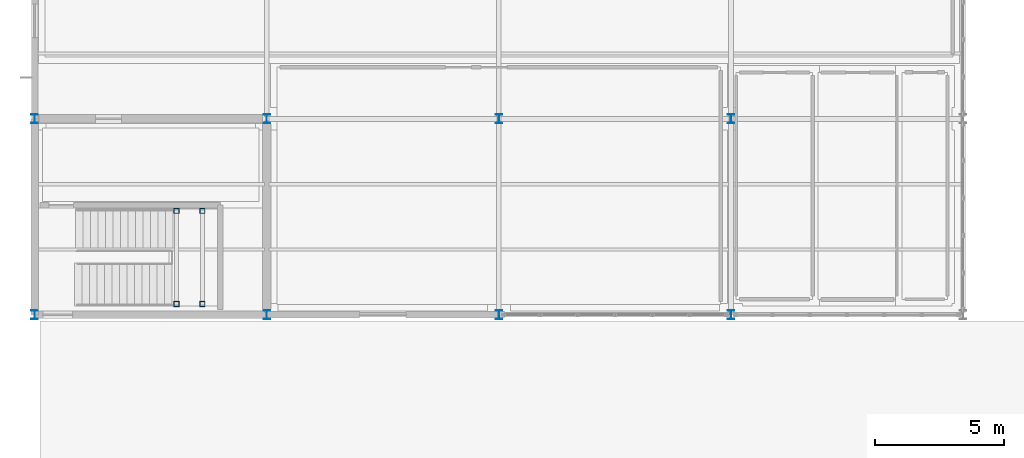
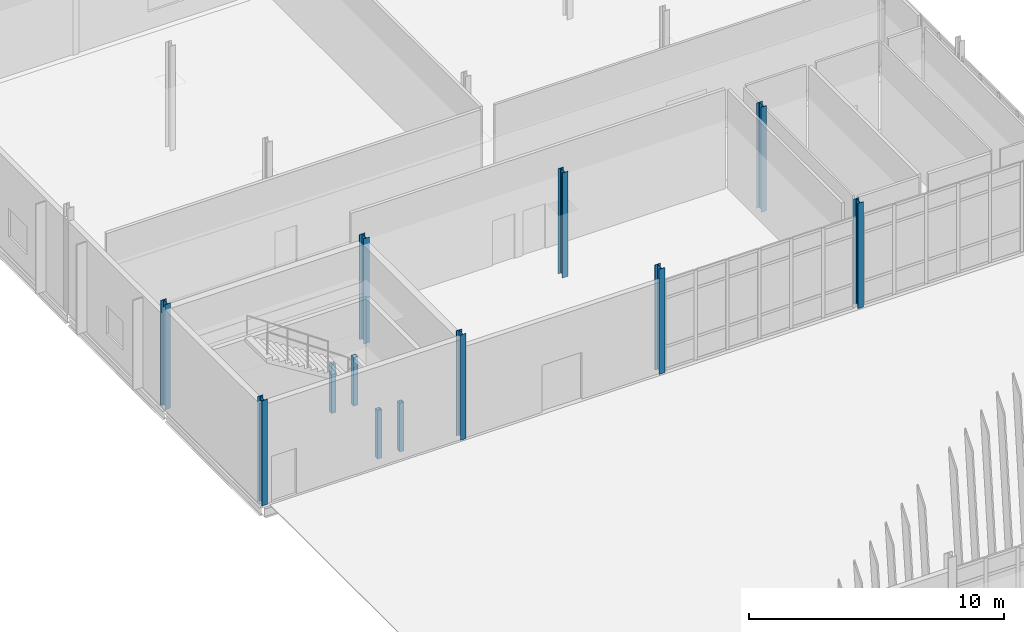
# One storey, part 15 of 161: 12 columns.
"""IFC4 building model written with IfcOpenShell, lengths in metres."""

from ifc_helpers import new_model, si_unit, direction, frame, origin, origin_2d, place, context, subcontext, project, spatial, hollow_rectangle, i_section, extrude, material, material_profile, profile_set, type_object, element, save


model = new_model("IFC4")

# Units and contexts
model_context = context("Model", 3, precision=1e-05, world=origin(), true_north=direction((0.0, 1.0)))
body_context = subcontext(model_context, "Body", "Model", "MODEL_VIEW")
ifc_project = project(units=[si_unit("LENGTHUNIT", "METRE"), si_unit("AREAUNIT", "SQUARE_METRE"), si_unit("VOLUMEUNIT", "CUBIC_METRE"), si_unit("PLANEANGLEUNIT", "RADIAN"), si_unit("MASSUNIT", "GRAM", prefix="KILO")], contexts=[model_context])

# Site, building, storey
site_placement = place(None, origin())
site = spatial("IfcSite", under=ifc_project, at=site_placement, CompositionType="ELEMENT")
building_placement = place(site_placement, origin())
building = spatial("IfcBuilding", under=site, at=building_placement, Name="Caisbarro Railhouse Central Library", CompositionType="ELEMENT")
storey_placement = place(building_placement, origin())
storey = spatial("IfcBuildingStorey", under=building, at=storey_placement, Name="L00", CompositionType="ELEMENT", Elevation=0.0)

# Columns
ifc_material = material(Name="Steel ASTM A572 Grade 50", Category="steel")
ifc_material_profile_1 = material_profile(ifc_material, i_section(OverallWidth=0.25390625, OverallDepth=0.35302734375, WebThickness=0.009521484375, FlangeThickness=0.016357421875, FilletRadius=0.014892578125, at=origin_2d()), Name="W360X91.0")
ifc_profile_set_1 = profile_set([ifc_material_profile_1], Name="Steel ASTM A572 Grade 50")
column_type_1 = type_object("IfcColumnType", Name="COL-C05", PredefinedType="COLUMN", material=ifc_profile_set_1)
for number, where, z_axis, x_axis, name in (
    (1, (0.0, 83.60009765625, 0.0), (0.0, 0.0, 1.0), (1.0, 0.0, 0.0), "C05 column L00 (0.0,83.6)"),
    (2, (0.0, 91.199951171875, 0.0), (0.0, 0.0, 1.0), (1.0, 0.0, 0.0), "C05 column L00 (0.0,91.2)"),
    (3, (9.0, 83.60009765625, 0.0), (0.0, 0.0, 1.0), (1.0, 0.0, 0.0), "C05 column L00 (9.0,83.6)"),
    (4, (9.0, 91.199951171875, 0.0), (0.0, 0.0, 1.0), (1.0, 0.0, 0.0), "C05 column L00 (9.0,91.2)"),
    (5, (18.0, 83.60009765625, 0.0), (0.0, 0.0, 1.0), (1.0, 0.0, 0.0), "C05 column L00 (18.0,83.6)"),
    (6, (18.0, 91.199951171875, 0.0), (0.0, 0.0, 1.0), (1.0, 0.0, 0.0), "C05 column L00 (18.0,91.2)"),
    (7, (27.0, 83.60009765625, 0.0), (0.0, 0.0, 1.0), (1.0, 0.0, 0.0), "C05 column L00 (27.0,83.6)"),
    (8, (27.0, 91.199951171875, 0.0), (0.0, 0.0, 1.0), (1.0, 0.0, 0.0), "C05 column L00 (27.0,91.2)"),
):
    element("IfcColumn", number, at=place(storey_placement, frame(where, z_axis=z_axis, x_axis=x_axis)), inside=storey, type_object=column_type_1, Name=name, PredefinedType="COLUMN", context=body_context, shape_type="SweptSolid", body=[
        extrude(i_section(OverallWidth=0.25390625, OverallDepth=0.35302734375, WebThickness=0.009521484375, FlangeThickness=0.016357421875, FilletRadius=0.014892578125, at=origin_2d()), origin(), (0.0, 0.0, 1.0), 5.0400390625),
    ])
ifc_material_profile_2 = material_profile(ifc_material, hollow_rectangle(XDim=0.199951171875, YDim=0.199951171875, WallThickness=0.012451171875, at=origin_2d()), Name="HSS200X200X12.5")
ifc_profile_set_2 = profile_set([ifc_material_profile_2], Name="Steel ASTM A572 Grade 50")
column_type_2 = type_object("IfcColumnType", Name="COL-C10", PredefinedType="COLUMN", material=ifc_profile_set_2)
for number, where, z_axis, x_axis, name in (
    (9, (5.5, 84.02001953125, 0.0), (0.0, 0.0, 1.0), (1.0, 0.0, 0.0), "C10 Stair Landing Post K8 L00.1"),
    (10, (5.5, 87.6298828125, 0.0), (0.0, 0.0, 1.0), (1.0, 0.0, 0.0), "C10 Stair Landing Post K8 L00.2"),
    (11, (6.5, 84.02001953125, 0.0), (0.0, 0.0, 1.0), (1.0, 0.0, 0.0), "C10 Stair Landing Post K8 L00.3"),
    (12, (6.5, 87.6298828125, 0.0), (0.0, 0.0, 1.0), (1.0, 0.0, 0.0), "C10 Stair Landing Post K8 L00.4"),
):
    element("IfcColumn", number, at=place(storey_placement, frame(where, z_axis=z_axis, x_axis=x_axis)), inside=storey, type_object=column_type_2, Name=name, PredefinedType="COLUMN", context=body_context, shape_type="SweptSolid", body=[
        extrude(hollow_rectangle(XDim=0.199951171875, YDim=0.199951171875, WallThickness=0.012451171875, at=origin_2d()), origin(), (0.0, 0.0, 1.0), 2.330078125),
    ])

save(model, "model.ifc")
